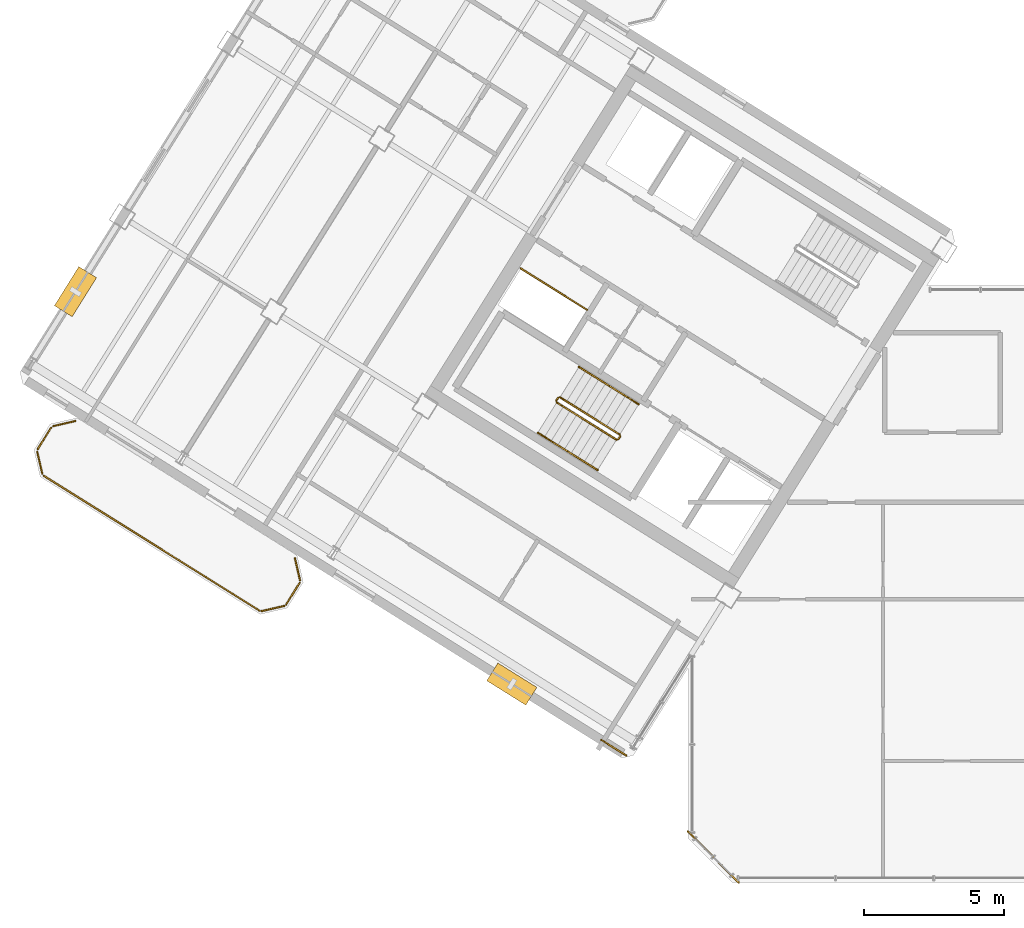
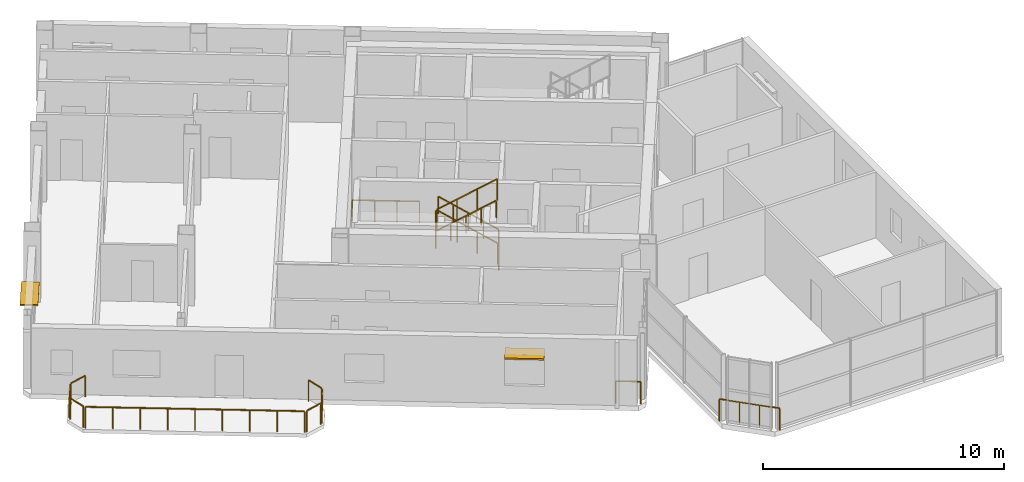
# One storey, part 11 of 12: 18 railings, 2 shading devices.
"""IFC4 building model written with IfcOpenShell, lengths in metres."""

import ifcopenshell
import ifcopenshell.guid

model = None  # the IFC model being written
_history = None  # IfcOwnerHistory: only IFC2X3 demands one
_inside = {}  # id of a spatial element -> (the spatial element, [elements in it])
_under = {}  # id of a project, library or spatial element -> (it, [spatial elements below it])
_declared = {}  # id of a project -> (the project, [libraries it declares])
_typed = {}  # id of a type object -> (the type object, [elements of that type])
_made_of = {}  # id of a material, layer set ... -> (it, [elements and type objects made of it])


def new_model(schema):
    """Start an empty IFC model of exactly this schema.

    Asked for "IFC4X3", IfcOpenShell would pick the latest addendum, in which some entities
    have other attributes; the version numbers below select the first issue.
    IFC2X3 requires an IfcOwnerHistory on every rooted entity: one is made here for all.
    """
    global model, _history
    if schema == "IFC4X3":
        model = ifcopenshell.file(schema_version=(4, 3, 0, 0))
    else:
        model = ifcopenshell.file(schema=schema)
    _inside.clear()
    _under.clear()
    _declared.clear()
    _typed.clear()
    _made_of.clear()
    _history = None
    if model.schema == "IFC2X3":
        org = make("IfcOrganization", Name="unknown")
        user = make(
            "IfcPersonAndOrganization",
            ThePerson=make("IfcPerson", FamilyName="unknown"),
            TheOrganization=org,
        )
        app = make(
            "IfcApplication",
            ApplicationDeveloper=org,
            Version="unknown",
            ApplicationFullName="unknown",
            ApplicationIdentifier="unknown",
        )
        _history = make(
            "IfcOwnerHistory",
            OwningUser=user,
            OwningApplication=app,
            ChangeAction="ADDED",
            CreationDate=0,
        )
    return model


def make(cls, **values):
    """One entity of the class cls with the attributes given. An attribute that is None is left unset."""
    return model.create_entity(
        cls, **{name: value for name, value in values.items() if value is not None}
    )


def rooted(cls, **values):
    """An entity with a GlobalId (a new one), such as an element, a storey or a relation."""
    return make(cls, GlobalId=ifcopenshell.guid.new(), OwnerHistory=_history, **values)


def si_unit(unit_type, name, prefix=None):
    """IfcSIUnit, for example si_unit("LENGTHUNIT", "METRE", prefix="MILLI")."""
    return make("IfcSIUnit", UnitType=unit_type, Prefix=prefix, Name=name)


def assignment(units):
    """IfcUnitAssignment: the units of a project."""
    return None if units is None else make("IfcUnitAssignment", Units=units)


def point(xyz):
    """IfcCartesianPoint."""
    return None if xyz is None else make("IfcCartesianPoint", Coordinates=xyz)


def direction(xyz):
    """IfcDirection."""
    return None if xyz is None else make("IfcDirection", DirectionRatios=xyz)


def frame(location, z_axis=None, x_axis=None):
    """IfcAxis2Placement3D, a coordinate frame: its origin and axes. An axis left out is left unset."""
    return make(
        "IfcAxis2Placement3D",
        Location=point(location),
        Axis=direction(z_axis),
        RefDirection=direction(x_axis),
    )


def frame_2d(location, x_axis=None):
    """IfcAxis2Placement2D, a coordinate frame in the plane: its origin and x axis."""
    return make(
        "IfcAxis2Placement2D", Location=point(location), RefDirection=direction(x_axis)
    )


def origin():
    """The frame at (0, 0, 0) with its axes left unset."""
    return frame((0.0, 0.0, 0.0))


def origin_2d():
    """The frame at (0, 0) in the plane with its x axis left unset."""
    return frame_2d((0.0, 0.0))


def place(relative_to, where):
    """IfcLocalPlacement: puts the frame where relative to a parent placement (None: the world)."""
    return make(
        "IfcLocalPlacement", PlacementRelTo=relative_to, RelativePlacement=where
    )


def context(
    kind, dimensions, precision=None, world=None, true_north=None, identifier=None
):
    """IfcGeometricRepresentationContext, for example the 3D "Model" context."""
    return make(
        "IfcGeometricRepresentationContext",
        ContextIdentifier=identifier,
        ContextType=kind,
        CoordinateSpaceDimension=dimensions,
        Precision=precision,
        WorldCoordinateSystem=world,
        TrueNorth=true_north,
    )


def subcontext(parent, identifier, kind, view, scale=None):
    """IfcGeometricRepresentationSubContext, for example "Body" below "Model"."""
    return make(
        "IfcGeometricRepresentationSubContext",
        ContextIdentifier=identifier,
        ContextType=kind,
        ParentContext=parent,
        TargetScale=scale,
        TargetView=view,
    )


def project(units=None, contexts=None):
    """IfcProject with its units and contexts."""
    return rooted(
        "IfcProject",
        Name="project",
        RepresentationContexts=contexts,
        UnitsInContext=assignment(units),
    )


def spatial(cls, under=None, at=None, **own):
    """A site, building, storey or space (cls), placed at a placement, below another one or the project."""
    s = rooted(cls, ObjectPlacement=at, **own)
    if under is not None:
        _under.setdefault(under.id(), (under, []))[1].append(s)
    return s


def profile(cls, at=None, kind="AREA", **sizes):
    """A parametric profile (cls). Its sizes go by their IFC names, for example OverallWidth=200.0."""
    return make(cls, ProfileType=kind, Position=at, **sizes)


def rectangle(**sizes):
    """IfcRectangleProfileDef."""
    return profile("IfcRectangleProfileDef", **sizes)


def extrude(swept, where, along, depth):
    """IfcExtrudedAreaSolid: the profile swept, set in the frame where, extruded along a direction by depth."""
    return make(
        "IfcExtrudedAreaSolid",
        SweptArea=swept,
        Position=where,
        ExtrudedDirection=direction(along),
        Depth=depth,
    )


def shape(context_of_items, identifier, shape_type, items):
    """IfcShapeRepresentation: the items that make up one representation, for example the "Body"."""
    return make(
        "IfcShapeRepresentation",
        ContextOfItems=context_of_items,
        RepresentationIdentifier=identifier,
        RepresentationType=shape_type,
        Items=items,
    )


def source(mapping_origin, context_of_items, identifier, shape_type, items):
    """IfcRepresentationMap: a shape defined once, which mapped items show again and again."""
    return make(
        "IfcRepresentationMap",
        MappingOrigin=mapping_origin,
        MappedRepresentation=shape(context_of_items, identifier, shape_type, items),
    )


def transform(
    local_origin,
    x_axis=None,
    y_axis=None,
    z_axis=None,
    scale=None,
    scale2=None,
    scale3=None,
    uniform=True,
):
    """IfcCartesianTransformationOperator3D, or its non-uniform kind. x_axis, y_axis, z_axis: its Axis1, 2, 3."""
    if uniform:
        return make(
            "IfcCartesianTransformationOperator3D",
            Axis1=direction(x_axis),
            Axis2=direction(y_axis),
            LocalOrigin=point(local_origin),
            Scale=scale,
            Axis3=direction(z_axis),
        )
    return make(
        "IfcCartesianTransformationOperator3DnonUniform",
        Axis1=direction(x_axis),
        Axis2=direction(y_axis),
        LocalOrigin=point(local_origin),
        Scale=scale,
        Axis3=direction(z_axis),
        Scale2=scale2,
        Scale3=scale3,
    )


def mapped(mapping_source, mapping_target):
    """IfcMappedItem: shows the shape of a source again, moved by a transform."""
    return make(
        "IfcMappedItem", MappingSource=mapping_source, MappingTarget=mapping_target
    )


def material(Name=None, Category=None):
    """IfcMaterial."""
    return make("IfcMaterial", Name=Name, Category=Category)


def layer(
    of_material, thickness, ventilated=None, Name=None, Category=None, Priority=None
):
    """IfcMaterialLayer: one layer of a wall or slab, of a material (None: an air gap)."""
    return make(
        "IfcMaterialLayer",
        Material=of_material,
        LayerThickness=thickness,
        IsVentilated=ventilated,
        Name=Name,
        Category=Category,
        Priority=Priority,
    )


def layer_set(layers, Name=None):
    """IfcMaterialLayerSet."""
    return make("IfcMaterialLayerSet", MaterialLayers=layers, LayerSetName=Name)


def made_of(thing, what):
    """Note that an element or type object is made of a material, layer set ...; save() writes the relation."""
    if what is not None:
        _made_of.setdefault(what.id(), (what, []))[1].append(thing)
    return thing


def type_object(cls, material=None, **own):
    """A type object (cls), such as IfcWallType, which elements share."""
    return made_of(rooted(cls, **own), material)


def element(
    cls,
    number,
    at=None,
    inside=None,
    cuts=None,
    type_object=None,
    material=None,
    context=None,
    identifier="Body",
    shape_type=None,
    held_by="IfcProductDefinitionShape",
    body=None,
    shapes=None,
    **own,
):
    """One element of the class cls, such as IfcWall. Its Tag is "e" and its number.

    at: its placement. inside: the storey or other place that contains it. cuts: it is an
    opening in that element (IfcRelVoidsElement). A single representation is given by context,
    identifier, shape_type and body (its items); several are given by shapes. held_by: the class
    of the entity that holds the representations. save() writes the other relations.
    """
    e = rooted(cls, Tag="e%d" % number, ObjectPlacement=at, **own)
    if body is not None:
        shapes = [shape(context, identifier, shape_type, body)]
    if shapes is not None:
        e.Representation = make(held_by, Representations=shapes)
    if inside is not None:
        _inside.setdefault(inside.id(), (inside, []))[1].append(e)
    if cuts is not None:
        rooted(
            "IfcRelVoidsElement", RelatingBuildingElement=cuts, RelatedOpeningElement=e
        )
    if type_object is not None:
        _typed.setdefault(type_object.id(), (type_object, []))[1].append(e)
    return made_of(e, material)


def aggregate(whole, parts):
    """IfcRelAggregates: a whole, such as a stair, and the parts it consists of."""
    return rooted("IfcRelAggregates", RelatingObject=whole, RelatedObjects=parts)


def save(model, path):
    """Write the relations noted so far, then the file.

    IfcRelAggregates (storeys below a building ...), IfcRelContainedInSpatialStructure (elements
    in a storey), IfcRelDefinesByType, IfcRelAssociatesMaterial and IfcRelDeclares: one each for
    every whole, place, type object, material and project.
    """
    for whole, parts in _under.values():
        aggregate(whole, parts)
    for where, things in _inside.values():
        rooted(
            "IfcRelContainedInSpatialStructure",
            RelatedElements=things,
            RelatingStructure=where,
        )
    for kind, things in _typed.values():
        rooted("IfcRelDefinesByType", RelatedObjects=things, RelatingType=kind)
    for what, things in _made_of.values():
        rooted("IfcRelAssociatesMaterial", RelatedObjects=things, RelatingMaterial=what)
    for by, libraries in _declared.values():
        rooted("IfcRelDeclares", RelatingContext=by, RelatedDefinitions=libraries)
    model.write(path)


model = new_model("IFC4")

# Units and contexts
model_context = context("Model", 3, precision=1e-05, world=origin(), true_north=direction((0.0, 1.0)))
body_context = subcontext(model_context, "Body", "Model", "MODEL_VIEW")
ifc_project = project(units=[si_unit("LENGTHUNIT", "METRE"), si_unit("AREAUNIT", "SQUARE_METRE"), si_unit("VOLUMEUNIT", "CUBIC_METRE"), si_unit("PLANEANGLEUNIT", "RADIAN"), si_unit("MASSUNIT", "GRAM", prefix="KILO")], contexts=[model_context])

# Site, building, storey
site_placement = place(None, origin())
site = spatial("IfcSite", under=ifc_project, at=site_placement, CompositionType="ELEMENT")
building_placement = place(site_placement, origin())
building = spatial("IfcBuilding", under=site, at=building_placement, Name="Tlacorven Tower", CompositionType="ELEMENT")
storey_placement = place(building_placement, frame((0.0, 0.0, 288.0)))
storey = spatial("IfcBuildingStorey", under=building, at=storey_placement, Name="L73", CompositionType="ELEMENT", Elevation=288.0)

# Railings
ifc_material_1 = material(Name="Aluminium and painted steel balustrade", Category="steel")
railing_type_1 = type_object("IfcRailingType", Name="RL-GRD-1100", PredefinedType="GUARDRAIL", material=ifc_material_1)
shared_shape_1 = source(origin(), body_context, "Body", "SweptSolid", [
    extrude(rectangle(XDim=0.048095703125, YDim=0.048095703125, at=origin_2d()), frame((0.0, 0.0, 1.076171875), z_axis=(-0.848091358275, 0.529850024081, 0.0), x_axis=(-0.529850024081, -0.848091358275, 0.0)), (0.0, 0.0, 1.0), 2.800048828125),
    extrude(rectangle(XDim=0.0419921875, YDim=0.0419921875, at=origin_2d()), origin(), (0.0, 0.0, 1.0), 1.052001953125),
    extrude(rectangle(XDim=0.0419921875, YDim=0.0419921875, at=origin_2d()), frame((-0.79150390625, 0.49462890625, 0.0)), (0.0, 0.0, 1.0), 1.052001953125),
    extrude(rectangle(XDim=0.0419921875, YDim=0.0419921875, at=origin_2d()), frame((-1.583251953125, 0.989013671875, 0.0)), (0.0, 0.0, 1.0), 1.052001953125),
    extrude(rectangle(XDim=0.0419921875, YDim=0.0419921875, at=origin_2d()), frame((-2.374755859375, 1.483642578125, 0.0)), (0.0, 0.0, 1.0), 1.052001953125),
])
railing_1_placement = place(storey_placement, frame((27.9912109375, 22.32080078125, 0.0)))
element("IfcRailing", 1, at=railing_1_placement, inside=storey, type_object=railing_type_1, Name="L73 Electrical Riser W Shaft Guard 1", PredefinedType="GUARDRAIL", context=body_context, shape_type="MappedRepresentation", body=[
    mapped(shared_shape_1, transform((0.0, 0.0, 0.0), scale=1.0)),
])
railing_type_2 = type_object("IfcRailingType", Name="RL-BAL-1100", PredefinedType="BALUSTRADE", material=ifc_material_1)
shared_shape_2 = source(origin(), body_context, "Body", "SweptSolid", [
    extrude(rectangle(XDim=0.048095703125, YDim=0.048095703125, at=origin_2d()), frame((0.0, 0.0, 1.076171875), z_axis=(0.225058334816, -0.974345290916, 0.0), x_axis=(0.974345290916, 0.225058334816, 0.0)), (0.0, 0.0, 1.0), 0.80712890625),
    extrude(rectangle(XDim=0.0419921875, YDim=0.0419921875, at=origin_2d()), origin(), (0.0, 0.0, 1.0), 1.052001953125),
    extrude(rectangle(XDim=0.0419921875, YDim=0.0419921875, at=origin_2d()), frame((0.181640625, -0.786376953125, 0.0)), (0.0, 0.0, 1.0), 1.052001953125),
])
railing_2_placement = place(storey_placement, frame((17.5244140625, 13.413330078125, 0.0)))
element("IfcRailing", 2, at=railing_2_placement, inside=storey, type_object=railing_type_2, Name="BAL-L73-W-OUT Guard Railing 1", PredefinedType="BALUSTRADE", context=body_context, shape_type="MappedRepresentation", body=[
    mapped(shared_shape_2, transform((0.0, 0.0, 0.0), scale=1.0)),
])
shared_shape_3 = source(origin(), body_context, "Body", "SweptSolid", [
    extrude(rectangle(XDim=0.048095703125, YDim=0.048095703125, at=origin_2d()), frame((0.0, 0.0, 1.076171875), z_axis=(-0.52987865805, -0.848073468364, 0.0), x_axis=(0.848073468364, -0.52987865805, 0.0)), (0.0, 0.0, 1.0), 0.912353515625),
    extrude(rectangle(XDim=0.0419921875, YDim=0.0419921875, at=origin_2d()), origin(), (0.0, 0.0, 1.0), 1.052001953125),
    extrude(rectangle(XDim=0.0419921875, YDim=0.0419921875, at=origin_2d()), frame((-0.4833984375, -0.773681640625, 0.0)), (0.0, 0.0, 1.0), 1.052001953125),
])
railing_3_placement = place(storey_placement, frame((17.690673828125, 12.535888671875, 0.0)))
element("IfcRailing", 3, at=railing_3_placement, inside=storey, type_object=railing_type_2, Name="BAL-L73-W-OUT Guard Railing 2", PredefinedType="BALUSTRADE", context=body_context, shape_type="MappedRepresentation", body=[
    mapped(shared_shape_3, transform((0.0, 0.0, 0.0), scale=1.0)),
])
shared_shape_4 = source(origin(), body_context, "Body", "SweptSolid", [
    extrude(rectangle(XDim=0.048095703125, YDim=0.048095703125, at=origin_2d()), frame((0.0, 0.0, 1.076171875), z_axis=(-0.974411586182, -0.224771129628, 0.0), x_axis=(0.224771129628, -0.974411586182, 0.0)), (0.0, 0.0, 1.0), 0.80712890625),
    extrude(rectangle(XDim=0.0419921875, YDim=0.0419921875, at=origin_2d()), origin(), (0.0, 0.0, 1.0), 1.052001953125),
    extrude(rectangle(XDim=0.0419921875, YDim=0.0419921875, at=origin_2d()), frame((-0.786376953125, -0.181396484375, 0.0)), (0.0, 0.0, 1.0), 1.052001953125),
])
railing_4_placement = place(storey_placement, frame((17.132080078125, 11.70849609375, 0.0)))
element("IfcRailing", 4, at=railing_4_placement, inside=storey, type_object=railing_type_2, Name="BAL-L73-W-OUT Guard Railing 3", PredefinedType="BALUSTRADE", context=body_context, shape_type="MappedRepresentation", body=[
    mapped(shared_shape_4, transform((0.0, 0.0, 0.0), scale=1.0)),
])
shared_shape_5 = source(origin(), body_context, "Body", "SweptSolid", [
    extrude(rectangle(XDim=0.048095703125, YDim=0.048095703125, at=origin_2d()), frame((0.0, 0.0, 1.076171875), z_axis=(-0.225058334816, 0.974345290916, 0.0), x_axis=(-0.974345290916, -0.225058334816, 0.0)), (0.0, 0.0, 1.0), 0.80712890625),
    extrude(rectangle(XDim=0.0419921875, YDim=0.0419921875, at=origin_2d()), origin(), (0.0, 0.0, 1.0), 1.052001953125),
    extrude(rectangle(XDim=0.0419921875, YDim=0.0419921875, at=origin_2d()), frame((-0.181640625, 0.786376953125, 0.0)), (0.0, 0.0, 1.0), 1.052001953125),
])
railing_5_placement = place(storey_placement, frame((8.46923828125, 16.448974609375, 0.0)))
element("IfcRailing", 5, at=railing_5_placement, inside=storey, type_object=railing_type_2, Name="BAL-L73-W-OUT Guard Railing 5", PredefinedType="BALUSTRADE", context=body_context, shape_type="MappedRepresentation", body=[
    mapped(shared_shape_5, transform((0.0, 0.0, 0.0), scale=1.0)),
])
railing_type_3 = type_object("IfcRailingType", Name="RL-GRD-1150", PredefinedType="GUARDRAIL", material=ifc_material_1)
shared_shape_6 = source(origin(), body_context, "Body", "SweptSolid", [
    extrude(rectangle(XDim=0.048095703125, YDim=0.048095703125, at=origin_2d()), frame((0.0, 0.0, 1.1259765625), z_axis=(-0.707106781187, 0.707106781187, 0.0), x_axis=(-0.707106781187, -0.707106781187, 0.0)), (0.0, 0.0, 1.0), 2.590087890625),
    extrude(rectangle(XDim=0.0419921875, YDim=0.0419921875, at=origin_2d()), origin(), (0.0, 0.0, 1.0), 1.101806640625),
    extrude(rectangle(XDim=0.0419921875, YDim=0.0419921875, at=origin_2d()), frame((-0.610595703125, 0.610595703125, 0.0)), (0.0, 0.0, 1.0), 1.101806640625),
    extrude(rectangle(XDim=0.0419921875, YDim=0.0419921875, at=origin_2d()), frame((-1.220947265625, 1.220947265625, 0.0)), (0.0, 0.0, 1.0), 1.101806640625),
    extrude(rectangle(XDim=0.0419921875, YDim=0.0419921875, at=origin_2d()), frame((-1.83154296875, 1.83154296875, 0.0)), (0.0, 0.0, 1.0), 1.101806640625),
])
railing_6_placement = place(storey_placement, frame((33.428955078125, 1.79736328125, 0.0)))
element("IfcRailing", 6, at=railing_6_placement, inside=storey, type_object=railing_type_3, Name="L73 Knuckle Glazed Sill Guard 1", PredefinedType="GUARDRAIL", context=body_context, shape_type="MappedRepresentation", body=[
    mapped(shared_shape_6, transform((0.0, 0.0, 0.0), scale=1.0)),
])
shared_shape_7 = source(origin(), body_context, "Body", "SweptSolid", [
    extrude(rectangle(XDim=0.048095703125, YDim=0.048095703125, at=origin_2d()), frame((0.0, 0.0, 1.1259765625), z_axis=(-0.848102774857, 0.529831749973, 0.0), x_axis=(-0.529831749973, -0.848102774857, 0.0)), (0.0, 0.0, 1.0), 1.050048828125),
    extrude(rectangle(XDim=0.0419921875, YDim=0.0419921875, at=origin_2d()), origin(), (0.0, 0.0, 1.0), 1.101806640625),
    extrude(rectangle(XDim=0.0419921875, YDim=0.0419921875, at=origin_2d()), frame((-0.890625, 0.556396484375, 0.0)), (0.0, 0.0, 1.0), 1.101806640625),
])
railing_7_placement = place(storey_placement, frame((29.39501953125, 6.35009765625, 0.0)))
element("IfcRailing", 7, at=railing_7_placement, inside=storey, type_object=railing_type_3, Name="L73 Knuckle Glazed Sill Guard 2", PredefinedType="GUARDRAIL", context=body_context, shape_type="MappedRepresentation", body=[
    mapped(shared_shape_7, transform((0.0, 0.0, 0.0), scale=1.0)),
])

# Shading devices
ifc_material_2 = material(Name="Anodised bronze aluminium sunshade", Category="aluminium")
ifc_layer = layer(ifc_material_2, 0.080078125)
ifc_layer_set = layer_set([ifc_layer], Name="Anodised bronze aluminium sunshade")
shading_device_type = type_object("IfcShadingDeviceType", Name="SH-SUN-BRZ", PredefinedType="AWNING", material=ifc_layer_set)
shared_shape_8 = source(origin(), body_context, "Body", "SweptSolid", [
    extrude(rectangle(XDim=1.64990234375, YDim=0.75, at=origin_2d()), origin(), (0.0, 0.0, 1.0), 0.080078125),
])
for number, where, z_axis, x_axis, name in (
    (8, (25.295654296875, 8.911376953125, 2.369873046875), (0.0, 0.0, 1.0), (-0.848048045547, 0.529919345226, 0.0), "L73 Solar Brise-Soleil Sunshade L73-02.1"),
    (9, (9.66015625, 22.970947265625, 2.369873046875), (0.0, 0.0, 1.0), (0.529919478984, 0.848047961965, 0.0), "L73 Solar Brise-Soleil Sunshade L73-03.1"),
):
    element("IfcShadingDevice", number, at=place(storey_placement, frame(where, z_axis=z_axis, x_axis=x_axis)), inside=storey, type_object=shading_device_type, Name=name, PredefinedType="AWNING", context=body_context, shape_type="MappedRepresentation", body=[
        mapped(shared_shape_8, transform((0.0, 0.0, 0.0), scale=1.0)),
    ])

# Railings
shared_shape_9 = source(origin(), body_context, "Body", "SweptSolid", [
    extrude(rectangle(XDim=0.048095703125, YDim=0.048095703125, at=origin_2d()), frame((0.0, 0.0, 1.076171875), z_axis=(-0.848047945797, 0.529919504859, 0.0), x_axis=(-0.529919504859, -0.848047945797, 0.0)), (0.0, 0.0, 1.0), 9.116943359375),
    extrude(rectangle(XDim=0.0419921875, YDim=0.0419921875, at=origin_2d()), origin(), (0.0, 0.0, 1.0), 1.052001953125),
    extrude(rectangle(XDim=0.0419921875, YDim=0.0419921875, at=origin_2d()), frame((-0.966552734375, 0.60400390625, 0.0)), (0.0, 0.0, 1.0), 1.052001953125),
    extrude(rectangle(XDim=0.0419921875, YDim=0.0419921875, at=origin_2d()), frame((-1.932861328125, 1.207763671875, 0.0)), (0.0, 0.0, 1.0), 1.052001953125),
    extrude(rectangle(XDim=0.0419921875, YDim=0.0419921875, at=origin_2d()), frame((-2.8994140625, 1.811767578125, 0.0)), (0.0, 0.0, 1.0), 1.052001953125),
    extrude(rectangle(XDim=0.0419921875, YDim=0.0419921875, at=origin_2d()), frame((-3.86572265625, 2.41552734375, 0.0)), (0.0, 0.0, 1.0), 1.052001953125),
    extrude(rectangle(XDim=0.0419921875, YDim=0.0419921875, at=origin_2d()), frame((-4.832275390625, 3.01953125, 0.0)), (0.0, 0.0, 1.0), 1.052001953125),
    extrude(rectangle(XDim=0.0419921875, YDim=0.0419921875, at=origin_2d()), frame((-5.798828125, 3.62353515625, 0.0)), (0.0, 0.0, 1.0), 1.052001953125),
    extrude(rectangle(XDim=0.0419921875, YDim=0.0419921875, at=origin_2d()), frame((-6.76513671875, 4.227294921875, 0.0)), (0.0, 0.0, 1.0), 1.052001953125),
    extrude(rectangle(XDim=0.0419921875, YDim=0.0419921875, at=origin_2d()), frame((-7.731689453125, 4.831298828125, 0.0)), (0.0, 0.0, 1.0), 1.052001953125),
])
railing_8_placement = place(storey_placement, frame((16.254638671875, 11.542236328125, 0.0)))
element("IfcRailing", 10, at=railing_8_placement, inside=storey, type_object=railing_type_2, Name="BAL-L73-W-OUT Guard Railing 4", PredefinedType="BALUSTRADE", context=body_context, shape_type="MappedRepresentation", body=[
    mapped(shared_shape_9, transform((0.0, 0.0, 0.0), scale=1.0)),
])
shared_shape_10 = source(origin(), body_context, "Body", "SweptSolid", [
    extrude(rectangle(XDim=0.048095703125, YDim=0.048095703125, at=origin_2d()), frame((0.0, 0.0, 1.076171875), z_axis=(0.529806412759, 0.848118603144, 0.0), x_axis=(-0.848118603144, 0.529806412759, 0.0)), (0.0, 0.0, 1.0), 0.911865234375),
    extrude(rectangle(XDim=0.0419921875, YDim=0.0419921875, at=origin_2d()), origin(), (0.0, 0.0, 1.0), 1.052001953125),
    extrude(rectangle(XDim=0.0419921875, YDim=0.0419921875, at=origin_2d()), frame((0.483154296875, 0.7734375, 0.0)), (0.0, 0.0, 1.0), 1.052001953125),
])
railing_9_placement = place(storey_placement, frame((8.302978515625, 17.326416015625, 0.0)))
element("IfcRailing", 11, at=railing_9_placement, inside=storey, type_object=railing_type_2, Name="BAL-L73-W-OUT Guard Railing 6", PredefinedType="BALUSTRADE", context=body_context, shape_type="MappedRepresentation", body=[
    mapped(shared_shape_10, transform((0.0, 0.0, 0.0), scale=1.0)),
])
shared_shape_11 = source(origin(), body_context, "Body", "SweptSolid", [
    extrude(rectangle(XDim=0.048095703125, YDim=0.048095703125, at=origin_2d()), frame((0.0, 0.0, 1.076171875), z_axis=(0.974360606036, 0.224992020761, 0.0), x_axis=(-0.224992020761, 0.974360606036, 0.0)), (0.0, 0.0, 1.0), 0.807373046875),
    extrude(rectangle(XDim=0.0419921875, YDim=0.0419921875, at=origin_2d()), origin(), (0.0, 0.0, 1.0), 1.052001953125),
    extrude(rectangle(XDim=0.0419921875, YDim=0.0419921875, at=origin_2d()), frame((0.78662109375, 0.181640625, 0.0)), (0.0, 0.0, 1.0), 1.052001953125),
])
railing_10_placement = place(storey_placement, frame((8.861328125, 18.153564453125, 0.0)))
element("IfcRailing", 12, at=railing_10_placement, inside=storey, type_object=railing_type_2, Name="BAL-L73-W-OUT Guard Railing 7", PredefinedType="BALUSTRADE", context=body_context, shape_type="MappedRepresentation", body=[
    mapped(shared_shape_11, transform((0.0, 0.0, 0.0), scale=1.0)),
])
shared_shape_12 = source(origin(), body_context, "Body", "SweptSolid", [
    extrude(rectangle(XDim=0.048095703125, YDim=0.048095703125, at=origin_2d()), frame((0.0, 0.0, 1.076171875), z_axis=(-0.529084052582, -0.848569422795, 0.0), x_axis=(0.848569422795, -0.529084052582, 0.0)), (0.0, 0.0, 1.0), 0.119873046875),
    extrude(rectangle(XDim=0.0419921875, YDim=0.0419921875, at=origin_2d()), origin(), (0.0, 0.0, 1.0), 1.052001953125),
    extrude(rectangle(XDim=0.0419921875, YDim=0.0419921875, at=origin_2d()), frame((-0.0634765625, -0.101806640625, 0.0)), (0.0, 0.0, 1.0), 1.052001953125),
])
railing_11_placement = place(storey_placement, frame((29.176513671875, 17.782958984375, 0.0)))
element("IfcRailing", 13, at=railing_11_placement, inside=storey, type_object=railing_type_1, Name="L73 ST-W1 stair guard 4", PredefinedType="GUARDRAIL", context=body_context, shape_type="MappedRepresentation", body=[
    mapped(shared_shape_12, transform((0.0, 0.0, 0.0), scale=1.0)),
])
shared_shape_13 = source(origin(), body_context, "Body", "SweptSolid", [
    extrude(rectangle(XDim=0.048095703125, YDim=0.048095703125, at=origin_2d()), frame((0.0, 0.0, 1.076171875), z_axis=(-0.713319727316, 0.445773895627, 0.540796265334), x_axis=(-0.529955395941, -0.84802551749, 0.0)), (0.0, 0.0, 1.0), 2.995849609375),
    extrude(rectangle(XDim=0.0419921875, YDim=0.0419921875, at=origin_2d()), origin(), (0.0, 0.0, 1.0), 1.052001953125),
    extrude(rectangle(XDim=0.0419921875, YDim=0.0419921875, at=origin_2d()), frame((-0.71240234375, 0.445068359375, 0.5400390625)), (0.0, 0.0, 1.0), 1.052001953125),
    extrude(rectangle(XDim=0.0419921875, YDim=0.0419921875, at=origin_2d()), frame((-1.424560546875, 0.890380859375, 1.080078125)), (0.0, 0.0, 1.0), 1.052001953125),
    extrude(rectangle(XDim=0.0419921875, YDim=0.0419921875, at=origin_2d()), frame((-2.136962890625, 1.33544921875, 1.6201171875)), (0.0, 0.0, 1.0), 1.052001953125),
])
railing_12_placement = place(storey_placement, frame((29.16064453125, 17.851806640625, 0.179931640625)))
element("IfcRailing", 14, at=railing_12_placement, inside=storey, type_object=railing_type_1, Name="L73 ST-W1 stair guard 1", PredefinedType="GUARDRAIL", context=body_context, shape_type="MappedRepresentation", body=[
    mapped(shared_shape_13, transform((0.0, 0.0, 0.0), scale=1.0)),
])
shared_shape_14 = source(origin(), body_context, "Body", "SweptSolid", [
    extrude(rectangle(XDim=0.048095703125, YDim=0.048095703125, at=origin_2d()), frame((0.0, 0.0, 1.076171875), z_axis=(-0.530546985787, -0.847655529016, 0.0), x_axis=(0.847655529016, -0.530546985787, 0.0)), (0.0, 0.0, 1.0), 0.1201171875),
    extrude(rectangle(XDim=0.0419921875, YDim=0.0419921875, at=origin_2d()), origin(), (0.0, 0.0, 1.0), 1.052001953125),
    extrude(rectangle(XDim=0.0419921875, YDim=0.0419921875, at=origin_2d()), frame((-0.063720703125, -0.101806640625, 0.0)), (0.0, 0.0, 1.0), 1.052001953125),
])
railing_13_placement = place(storey_placement, frame((26.954833984375, 19.17138671875, 1.800048828125)))
element("IfcRailing", 15, at=railing_13_placement, inside=storey, type_object=railing_type_1, Name="L73 ST-W1 stair guard 2", PredefinedType="GUARDRAIL", context=body_context, shape_type="MappedRepresentation", body=[
    mapped(shared_shape_14, transform((0.0, 0.0, 0.0), scale=1.0)),
])
shared_shape_15 = source(origin(), body_context, "Body", "SweptSolid", [
    extrude(rectangle(XDim=0.048095703125, YDim=0.048095703125, at=origin_2d()), frame((0.0, 0.0, 1.076171875), z_axis=(0.713359751793, -0.4457479829, 0.540764828981), x_axis=(0.529911857636, 0.848052724267, 0.0)), (0.0, 0.0, 1.0), 2.99609375),
    extrude(rectangle(XDim=0.0419921875, YDim=0.0419921875, at=origin_2d()), origin(), (0.0, 0.0, 1.0), 1.052001953125),
    extrude(rectangle(XDim=0.0419921875, YDim=0.0419921875, at=origin_2d()), frame((0.71240234375, -0.445068359375, 0.5400390625)), (0.0, 0.0, 1.0), 1.052001953125),
    extrude(rectangle(XDim=0.0419921875, YDim=0.0419921875, at=origin_2d()), frame((1.4248046875, -0.890380859375, 1.080078125)), (0.0, 0.0, 1.0), 1.052001953125),
    extrude(rectangle(XDim=0.0419921875, YDim=0.0419921875, at=origin_2d()), frame((2.13720703125, -1.33544921875, 1.6201171875)), (0.0, 0.0, 1.0), 1.052001953125),
])
railing_14_placement = place(storey_placement, frame((26.906982421875, 19.000732421875, 1.97998046875)))
element("IfcRailing", 16, at=railing_14_placement, inside=storey, type_object=railing_type_1, Name="L73 ST-W1 stair guard 3", PredefinedType="GUARDRAIL", context=body_context, shape_type="MappedRepresentation", body=[
    mapped(shared_shape_15, transform((0.0, 0.0, 0.0), scale=1.0)),
])
railing_type_4 = type_object("IfcRailingType", Name="RL-HND-0900", PredefinedType="HANDRAIL", material=ifc_material_1)
shared_shape_16 = source(origin(), body_context, "Body", "SweptSolid", [
    extrude(rectangle(XDim=0.048095703125, YDim=0.048095703125, at=origin_2d()), frame((0.0, 0.0, 0.8759765625), z_axis=(-0.713359751793, 0.4457479829, 0.540764828981), x_axis=(-0.529911857636, -0.848052724267, 0.0)), (0.0, 0.0, 1.0), 1.498046875),
    extrude(rectangle(XDim=0.0419921875, YDim=0.0419921875, at=origin_2d()), origin(), (0.0, 0.0, 1.0), 0.851806640625),
    extrude(rectangle(XDim=0.0419921875, YDim=0.0419921875, at=origin_2d()), frame((-0.5341796875, 0.333984375, 0.405029296875)), (0.0, 0.0, 1.0), 0.851806640625),
    extrude(rectangle(XDim=0.0419921875, YDim=0.0419921875, at=origin_2d()), frame((-1.068603515625, 0.667724609375, 0.81005859375)), (0.0, 0.0, 1.0), 0.851806640625),
])
for number, where, name in (
    (17, (29.839111328125, 18.937255859375, 0.179931640625), "L73 ST-W1 stair handrail 1"),
    (18, (28.7705078125, 19.60498046875, 0.989990234375), "L73 ST-W1 stair handrail 2"),
):
    element("IfcRailing", number, at=place(storey_placement, frame(where)), inside=storey, type_object=railing_type_4, Name=name, PredefinedType="HANDRAIL", context=body_context, shape_type="MappedRepresentation", body=[
        mapped(shared_shape_16, transform((0.0, 0.0, 0.0), scale=1.0)),
    ])
shared_shape_17 = source(origin(), body_context, "Body", "SweptSolid", [
    extrude(rectangle(XDim=0.048095703125, YDim=0.048095703125, at=origin_2d()), frame((0.0, 0.0, 0.8759765625), z_axis=(0.713359751793, -0.4457479829, 0.540764828981), x_axis=(0.529911857636, 0.848052724267, 0.0)), (0.0, 0.0, 1.0), 1.498046875),
    extrude(rectangle(XDim=0.0419921875, YDim=0.0419921875, at=origin_2d()), origin(), (0.0, 0.0, 1.0), 0.851806640625),
    extrude(rectangle(XDim=0.0419921875, YDim=0.0419921875, at=origin_2d()), frame((0.5341796875, -0.333984375, 0.405029296875)), (0.0, 0.0, 1.0), 0.851806640625),
    extrude(rectangle(XDim=0.0419921875, YDim=0.0419921875, at=origin_2d()), frame((1.068603515625, -0.667724609375, 0.81005859375)), (0.0, 0.0, 1.0), 0.851806640625),
])
railing_15_placement = place(storey_placement, frame((26.228759765625, 17.915283203125, 1.97998046875)))
element("IfcRailing", 19, at=railing_15_placement, inside=storey, type_object=railing_type_4, Name="L73 ST-W1 stair handrail 3", PredefinedType="HANDRAIL", context=body_context, shape_type="MappedRepresentation", body=[
    mapped(shared_shape_17, transform((0.0, 0.0, 0.0), scale=1.0)),
])
shared_shape_18 = source(origin(), body_context, "Body", "SweptSolid", [
    extrude(rectangle(XDim=0.048095703125, YDim=0.048095703125, at=origin_2d()), frame((0.0, 0.0, 0.8759765625), z_axis=(0.713279695859, -0.445799809912, 0.540827703579), x_axis=(0.529998940003, 0.847998304005, 0.0)), (0.0, 0.0, 1.0), 1.497802734375),
    extrude(rectangle(XDim=0.0419921875, YDim=0.0419921875, at=origin_2d()), origin(), (0.0, 0.0, 1.0), 0.851806640625),
    extrude(rectangle(XDim=0.0419921875, YDim=0.0419921875, at=origin_2d()), frame((0.5341796875, -0.333984375, 0.405029296875)), (0.0, 0.0, 1.0), 0.851806640625),
    extrude(rectangle(XDim=0.0419921875, YDim=0.0419921875, at=origin_2d()), frame((1.068359375, -0.667724609375, 0.81005859375)), (0.0, 0.0, 1.0), 0.851806640625),
])
railing_16_placement = place(storey_placement, frame((27.29736328125, 17.24755859375, 2.7900390625)))
element("IfcRailing", 20, at=railing_16_placement, inside=storey, type_object=railing_type_4, Name="L73 ST-W1 stair handrail 4", PredefinedType="HANDRAIL", context=body_context, shape_type="MappedRepresentation", body=[
    mapped(shared_shape_18, transform((0.0, 0.0, 0.0), scale=1.0)),
])

save(model, "model.ifc")
